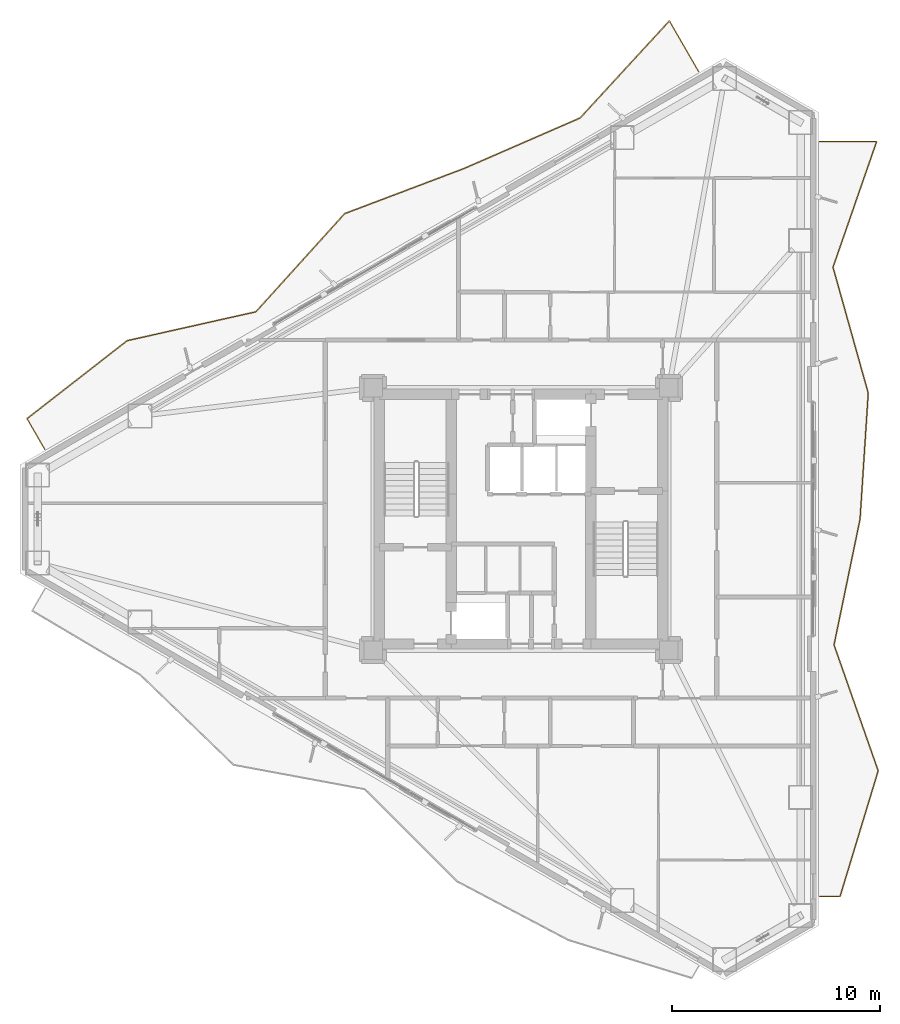
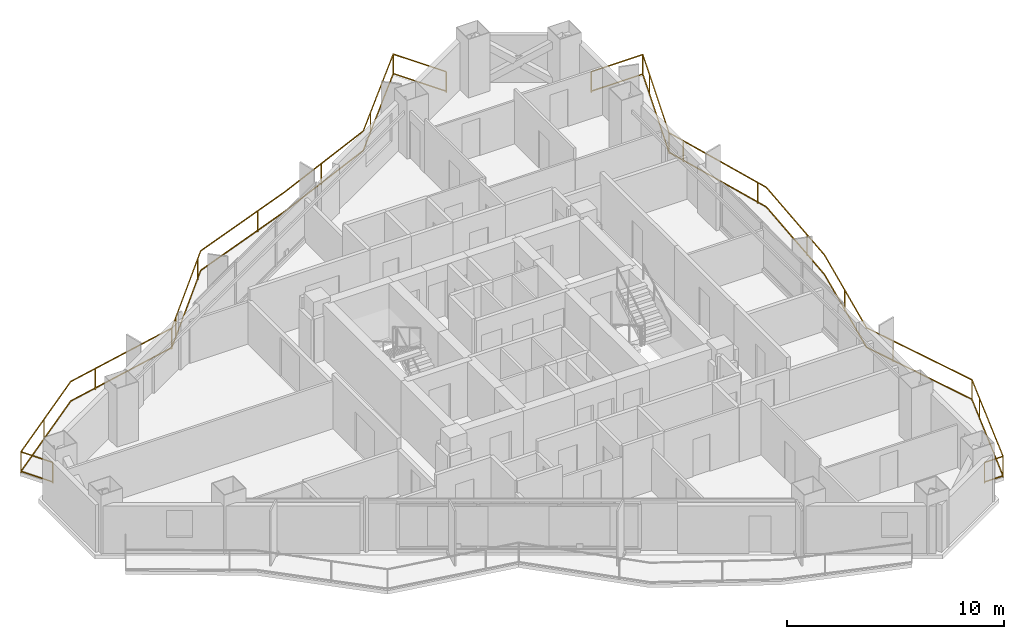
# One storey, part 22 of 22: 2 railings.
"""IFC4 building model written with IfcOpenShell, lengths in metres."""

from ifc_helpers import new_model, si_unit, direction, frame, origin, origin_2d, place, context, subcontext, project, spatial, rectangle, extrude, material, type_object, element, save


model = new_model("IFC4")

# Units and contexts
model_context = context("Model", 3, precision=1e-05, world=origin(), true_north=direction((0.0, 1.0)))
body_context = subcontext(model_context, "Body", "Model", "MODEL_VIEW")
ifc_project = project(units=[si_unit("LENGTHUNIT", "METRE"), si_unit("AREAUNIT", "SQUARE_METRE"), si_unit("VOLUMEUNIT", "CUBIC_METRE"), si_unit("PLANEANGLEUNIT", "RADIAN"), si_unit("MASSUNIT", "GRAM", prefix="KILO")], contexts=[model_context])

# Site, building, storey
site_placement = place(None, origin())
site = spatial("IfcSite", under=ifc_project, at=site_placement, CompositionType="ELEMENT")
building_placement = place(site_placement, origin())
building = spatial("IfcBuilding", under=site, at=building_placement, Name="Mersakhor Tower and Convention Hall", CompositionType="ELEMENT")
storey_placement = place(building_placement, frame((0.0, 0.0, 90.0)))
storey = spatial("IfcBuildingStorey", under=building, at=storey_placement, Name="L24", CompositionType="ELEMENT", Elevation=90.0)

# Railings
ifc_material = material(Name="Powder-coated galvanised steel and laminated glass balustrade", Category="steel")
railing_type = type_object("IfcRailingType", Name="RL-BAL-1200", PredefinedType="BALUSTRADE", material=ifc_material)
railing_1_placement = place(storey_placement, frame((37.541259765625, 48.2333984375, 0.0)))
element("IfcRailing", 1, at=railing_1_placement, inside=storey, type_object=railing_type, Name="L24 Sinusoidal Balcony Balustrade F1", PredefinedType="BALUSTRADE", context=body_context, shape_type="SweptSolid", body=[
    extrude(rectangle(XDim=0.048095703125, YDim=0.048095703125, at=origin_2d()), frame((0.0, 0.0, 1.17578125), z_axis=(-0.499947271324, 0.866055844559, 0.0), x_axis=(-0.866055844559, -0.499947271324, 0.0)), (0.0, 0.0, 1.0), 2.820068359375),
    extrude(rectangle(XDim=0.048095703125, YDim=0.048095703125, at=origin_2d()), frame((0.0, 0.0, 0.080078125), z_axis=(-0.499947271324, 0.866055844559, 0.0), x_axis=(-0.866055844559, -0.499947271324, 0.0)), (0.0, 0.0, 1.0), 2.820068359375),
    extrude(rectangle(XDim=0.048095703125, YDim=0.048095703125, at=origin_2d()), frame((-1.409912109375, 2.4423828125, 1.17578125), z_axis=(-0.676915448921, -0.736060782145, 0.0), x_axis=(0.736060782145, -0.676915448921, 0.0)), (0.0, 0.0, 1.0), 6.336181640625),
    extrude(rectangle(XDim=0.048095703125, YDim=0.048095703125, at=origin_2d()), frame((-1.409912109375, 2.4423828125, 0.080078125), z_axis=(-0.676915448921, -0.736060782145, 0.0), x_axis=(0.736060782145, -0.676915448921, 0.0)), (0.0, 0.0, 1.0), 6.336181640625),
    extrude(rectangle(XDim=0.048095703125, YDim=0.048095703125, at=origin_2d()), frame((-5.698974609375, -2.221435546875, 1.17578125), z_axis=(-0.916916266869, -0.399079640612, 0.0), x_axis=(0.399079640612, -0.916916266869, 0.0)), (0.0, 0.0, 1.0), 6.085205078125),
    extrude(rectangle(XDim=0.048095703125, YDim=0.048095703125, at=origin_2d()), frame((-5.698974609375, -2.221435546875, 0.080078125), z_axis=(-0.916916266869, -0.399079640612, 0.0), x_axis=(0.399079640612, -0.916916266869, 0.0)), (0.0, 0.0, 1.0), 6.085205078125),
    extrude(rectangle(XDim=0.048095703125, YDim=0.048095703125, at=origin_2d()), frame((-11.278564453125, -4.64990234375, 1.17578125), z_axis=(-0.935356110178, -0.353707431576, 0.0), x_axis=(0.353707431576, -0.935356110178, 0.0)), (0.0, 0.0, 1.0), 6.12646484375),
    extrude(rectangle(XDim=0.048095703125, YDim=0.048095703125, at=origin_2d()), frame((-11.278564453125, -4.64990234375, 0.080078125), z_axis=(-0.935356110178, -0.353707431576, 0.0), x_axis=(0.353707431576, -0.935356110178, 0.0)), (0.0, 0.0, 1.0), 6.12646484375),
    extrude(rectangle(XDim=0.048095703125, YDim=0.048095703125, at=origin_2d()), frame((-17.009033203125, -6.81689453125, 1.17578125), z_axis=(-0.670665749113, -0.741759700285, 0.0), x_axis=(0.741759700285, -0.670665749113, 0.0)), (0.0, 0.0, 1.0), 6.35302734375),
    extrude(rectangle(XDim=0.048095703125, YDim=0.048095703125, at=origin_2d()), frame((-17.009033203125, -6.81689453125, 0.080078125), z_axis=(-0.670665749113, -0.741759700285, 0.0), x_axis=(0.741759700285, -0.670665749113, 0.0)), (0.0, 0.0, 1.0), 6.35302734375),
    extrude(rectangle(XDim=0.048095703125, YDim=0.048095703125, at=origin_2d()), frame((-21.269775390625, -11.529296875, 1.17578125), z_axis=(-0.975746163918, -0.218905056128, 0.0), x_axis=(0.218905056128, -0.975746163918, 0.0)), (0.0, 0.0, 1.0), 6.334716796875),
    extrude(rectangle(XDim=0.048095703125, YDim=0.048095703125, at=origin_2d()), frame((-21.269775390625, -11.529296875, 0.080078125), z_axis=(-0.975746163918, -0.218905056128, 0.0), x_axis=(0.218905056128, -0.975746163918, 0.0)), (0.0, 0.0, 1.0), 6.334716796875),
    extrude(rectangle(XDim=0.048095703125, YDim=0.048095703125, at=origin_2d()), frame((-27.450927734375, -12.916015625, 1.17578125), z_axis=(-0.788988121056, -0.614408451141, 0.0), x_axis=(0.614408451141, -0.788988121056, 0.0)), (0.0, 0.0, 1.0), 6.104248046875),
    extrude(rectangle(XDim=0.048095703125, YDim=0.048095703125, at=origin_2d()), frame((-27.450927734375, -12.916015625, 0.080078125), z_axis=(-0.788988121056, -0.614408451141, 0.0), x_axis=(0.614408451141, -0.788988121056, 0.0)), (0.0, 0.0, 1.0), 6.104248046875),
    extrude(rectangle(XDim=0.048095703125, YDim=0.048095703125, at=origin_2d()), frame((-32.26708984375, -16.66650390625, 1.17578125), z_axis=(0.499954529098, -0.86605165483, 0.0), x_axis=(0.86605165483, 0.499954529098, 0.0)), (0.0, 0.0, 1.0), 1.699951171875),
    extrude(rectangle(XDim=0.048095703125, YDim=0.048095703125, at=origin_2d()), frame((-32.26708984375, -16.66650390625, 0.080078125), z_axis=(0.499954529098, -0.86605165483, 0.0), x_axis=(0.86605165483, 0.499954529098, 0.0)), (0.0, 0.0, 1.0), 1.699951171875),
    extrude(rectangle(XDim=0.0419921875, YDim=0.0419921875, at=origin_2d()), origin(), (0.0, 0.0, 1.0), 1.15185546875),
    extrude(rectangle(XDim=0.0419921875, YDim=0.0419921875, at=origin_2d()), frame((-1.409912109375, 2.4423828125, 0.0)), (0.0, 0.0, 1.0), 1.15185546875),
    extrude(rectangle(XDim=0.0419921875, YDim=0.0419921875, at=origin_2d()), frame((-4.6591796875, -1.0908203125, 0.0)), (0.0, 0.0, 1.0), 1.15185546875),
    extrude(rectangle(XDim=0.0419921875, YDim=0.0419921875, at=origin_2d()), frame((-8.691650390625, -3.52392578125, 0.0)), (0.0, 0.0, 1.0), 1.15185546875),
    extrude(rectangle(XDim=0.0419921875, YDim=0.0419921875, at=origin_2d()), frame((-13.12939453125, -5.349853515625, 0.0)), (0.0, 0.0, 1.0), 1.15185546875),
    extrude(rectangle(XDim=0.0419921875, YDim=0.0419921875, at=origin_2d()), frame((-17.4462890625, -7.300537109375, 0.0)), (0.0, 0.0, 1.0), 1.15185546875),
    extrude(rectangle(XDim=0.0419921875, YDim=0.0419921875, at=origin_2d()), frame((-20.66552734375, -10.861083984375, 0.0)), (0.0, 0.0, 1.0), 1.15185546875),
    extrude(rectangle(XDim=0.0419921875, YDim=0.0419921875, at=origin_2d()), frame((-21.269775390625, -11.529296875, 0.0)), (0.0, 0.0, 1.0), 1.15185546875),
    extrude(rectangle(XDim=0.0419921875, YDim=0.0419921875, at=origin_2d()), frame((-25.953369140625, -12.580078125, 0.0)), (0.0, 0.0, 1.0), 1.15185546875),
    extrude(rectangle(XDim=0.0419921875, YDim=0.0419921875, at=origin_2d()), frame((-30.027099609375, -14.922119140625, 0.0)), (0.0, 0.0, 1.0), 1.15185546875),
    extrude(rectangle(XDim=0.0419921875, YDim=0.0419921875, at=origin_2d()), frame((-32.26708984375, -16.66650390625, 0.0)), (0.0, 0.0, 1.0), 1.15185546875),
    extrude(rectangle(XDim=0.0419921875, YDim=0.0419921875, at=origin_2d()), frame((-31.417236328125, -18.138671875, 0.0)), (0.0, 0.0, 1.0), 1.15185546875),
])
railing_2_placement = place(storey_placement, frame((43.334716796875, 8.611328125, 0.0)))
element("IfcRailing", 2, at=railing_2_placement, inside=storey, type_object=railing_type, Name="L24 Sinusoidal Balcony Balustrade F2", PredefinedType="BALUSTRADE", context=body_context, shape_type="SweptSolid", body=[
    extrude(rectangle(XDim=0.048095703125, YDim=0.048095703125, at=origin_2d()), frame((0.0, 0.0, 1.17578125), z_axis=(1.0, 0.0, 0.0), x_axis=(0.0, 1.0, 0.0)), (0.0, 0.0, 1.0), 0.984619140625),
    extrude(rectangle(XDim=0.048095703125, YDim=0.048095703125, at=origin_2d()), frame((0.0, 0.0, 0.080078125), z_axis=(1.0, 0.0, 0.0), x_axis=(0.0, 1.0, 0.0)), (0.0, 0.0, 1.0), 0.984619140625),
    extrude(rectangle(XDim=0.048095703125, YDim=0.048095703125, at=origin_2d()), frame((0.984619140625, 0.0, 1.17578125), z_axis=(0.290448120216, 0.956890740609, 0.0), x_axis=(-0.956890740609, 0.290448120216, 0.0)), (0.0, 0.0, 1.0), 6.318603515625),
    extrude(rectangle(XDim=0.048095703125, YDim=0.048095703125, at=origin_2d()), frame((0.984619140625, 0.0, 0.080078125), z_axis=(0.290448120216, 0.956890740609, 0.0), x_axis=(-0.956890740609, 0.290448120216, 0.0)), (0.0, 0.0, 1.0), 6.318603515625),
    extrude(rectangle(XDim=0.048095703125, YDim=0.048095703125, at=origin_2d()), frame((2.81982421875, 6.046142578125, 1.17578125), z_axis=(-0.33102581435, 0.943621698687, 0.0), x_axis=(-0.943621698687, -0.33102581435, 0.0)), (0.0, 0.0, 1.0), 6.40771484375),
    extrude(rectangle(XDim=0.048095703125, YDim=0.048095703125, at=origin_2d()), frame((2.81982421875, 6.046142578125, 0.080078125), z_axis=(-0.33102581435, 0.943621698687, 0.0), x_axis=(-0.943621698687, -0.33102581435, 0.0)), (0.0, 0.0, 1.0), 6.40771484375),
    extrude(rectangle(XDim=0.048095703125, YDim=0.048095703125, at=origin_2d()), frame((0.69873046875, 12.092529296875, 1.17578125), z_axis=(0.202499688939, 0.979282327003, 0.0), x_axis=(-0.979282327003, 0.202499688939, 0.0)), (0.0, 0.0, 1.0), 6.174072265625),
    extrude(rectangle(XDim=0.048095703125, YDim=0.048095703125, at=origin_2d()), frame((0.69873046875, 12.092529296875, 0.080078125), z_axis=(0.202499688939, 0.979282327003, 0.0), x_axis=(-0.979282327003, 0.202499688939, 0.0)), (0.0, 0.0, 1.0), 6.174072265625),
    extrude(rectangle(XDim=0.048095703125, YDim=0.048095703125, at=origin_2d()), frame((1.948974609375, 18.138671875, 1.17578125), z_axis=(0.06495440466, 0.997888232877, 0.0), x_axis=(-0.997888232877, 0.06495440466, 0.0)), (0.0, 0.0, 1.0), 6.058837890625),
    extrude(rectangle(XDim=0.048095703125, YDim=0.048095703125, at=origin_2d()), frame((1.948974609375, 18.138671875, 0.080078125), z_axis=(0.06495440466, 0.997888232877, 0.0), x_axis=(-0.997888232877, 0.06495440466, 0.0)), (0.0, 0.0, 1.0), 6.058837890625),
    extrude(rectangle(XDim=0.048095703125, YDim=0.048095703125, at=origin_2d()), frame((2.342529296875, 24.184814453125, 1.17578125), z_axis=(-0.269576561795, 0.962978959963, 0.0), x_axis=(-0.962978959963, -0.269576561795, 0.0)), (0.0, 0.0, 1.0), 6.27880859375),
    extrude(rectangle(XDim=0.048095703125, YDim=0.048095703125, at=origin_2d()), frame((2.342529296875, 24.184814453125, 0.080078125), z_axis=(-0.269576561795, 0.962978959963, 0.0), x_axis=(-0.962978959963, -0.269576561795, 0.0)), (0.0, 0.0, 1.0), 6.27880859375),
    extrude(rectangle(XDim=0.048095703125, YDim=0.048095703125, at=origin_2d()), frame((0.64990234375, 30.231201171875, 1.17578125), z_axis=(0.327808836432, 0.94474407474, 0.0), x_axis=(-0.94474407474, 0.327808836432, 0.0)), (0.0, 0.0, 1.0), 6.399658203125),
    extrude(rectangle(XDim=0.048095703125, YDim=0.048095703125, at=origin_2d()), frame((0.64990234375, 30.231201171875, 0.080078125), z_axis=(0.327808836432, 0.94474407474, 0.0), x_axis=(-0.94474407474, 0.327808836432, 0.0)), (0.0, 0.0, 1.0), 6.399658203125),
    extrude(rectangle(XDim=0.048095703125, YDim=0.048095703125, at=origin_2d()), frame((2.747802734375, 36.27734375, 1.17578125), z_axis=(-1.0, 0.0, 0.0), x_axis=(0.0, -1.0, 0.0)), (0.0, 0.0, 1.0), 2.747802734375),
    extrude(rectangle(XDim=0.048095703125, YDim=0.048095703125, at=origin_2d()), frame((2.747802734375, 36.27734375, 0.080078125), z_axis=(-1.0, 0.0, 0.0), x_axis=(0.0, -1.0, 0.0)), (0.0, 0.0, 1.0), 2.747802734375),
    extrude(rectangle(XDim=0.0419921875, YDim=0.0419921875, at=origin_2d()), origin(), (0.0, 0.0, 1.0), 1.15185546875),
    extrude(rectangle(XDim=0.0419921875, YDim=0.0419921875, at=origin_2d()), frame((0.984619140625, 0.0, 0.0)), (0.0, 0.0, 1.0), 1.15185546875),
    extrude(rectangle(XDim=0.0419921875, YDim=0.0419921875, at=origin_2d()), frame((2.378662109375, 4.593017578125, 0.0)), (0.0, 0.0, 1.0), 1.15185546875),
    extrude(rectangle(XDim=0.0419921875, YDim=0.0419921875, at=origin_2d()), frame((2.81982421875, 6.046142578125, 0.0)), (0.0, 0.0, 1.0), 1.15185546875),
    extrude(rectangle(XDim=0.0419921875, YDim=0.0419921875, at=origin_2d()), frame((1.23095703125, 10.575439453125, 0.0)), (0.0, 0.0, 1.0), 1.15185546875),
    extrude(rectangle(XDim=0.0419921875, YDim=0.0419921875, at=origin_2d()), frame((1.34521484375, 15.21875, 0.0)), (0.0, 0.0, 1.0), 1.15185546875),
    extrude(rectangle(XDim=0.0419921875, YDim=0.0419921875, at=origin_2d()), frame((2.067138671875, 19.953125, 0.0)), (0.0, 0.0, 1.0), 1.15185546875),
    extrude(rectangle(XDim=0.0419921875, YDim=0.0419921875, at=origin_2d()), frame((2.191650390625, 24.723388671875, 0.0)), (0.0, 0.0, 1.0), 1.15185546875),
    extrude(rectangle(XDim=0.0419921875, YDim=0.0419921875, at=origin_2d()), frame((0.897705078125, 29.345703125, 0.0)), (0.0, 0.0, 1.0), 1.15185546875),
    extrude(rectangle(XDim=0.0419921875, YDim=0.0419921875, at=origin_2d()), frame((0.64990234375, 30.231201171875, 0.0)), (0.0, 0.0, 1.0), 1.15185546875),
    extrude(rectangle(XDim=0.0419921875, YDim=0.0419921875, at=origin_2d()), frame((2.223388671875, 34.765869140625, 0.0)), (0.0, 0.0, 1.0), 1.15185546875),
    extrude(rectangle(XDim=0.0419921875, YDim=0.0419921875, at=origin_2d()), frame((2.747802734375, 36.27734375, 0.0)), (0.0, 0.0, 1.0), 1.15185546875),
    extrude(rectangle(XDim=0.0419921875, YDim=0.0419921875, at=origin_2d()), frame((0.0, 36.27734375, 0.0)), (0.0, 0.0, 1.0), 1.15185546875),
])

save(model, "model.ifc")
